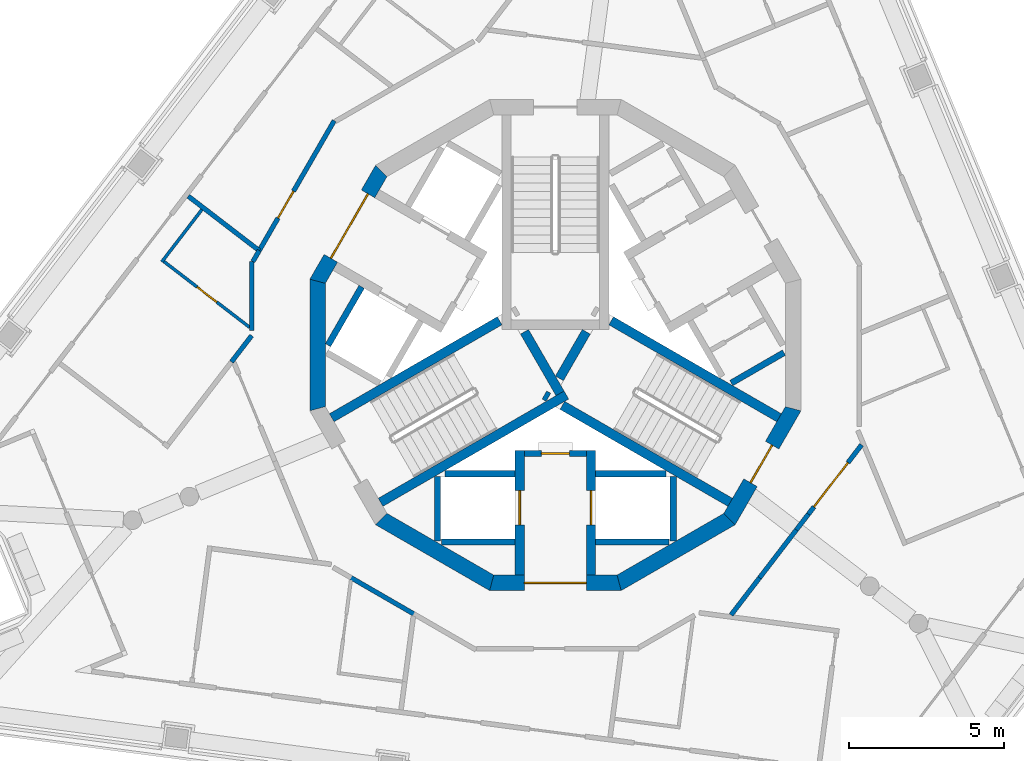
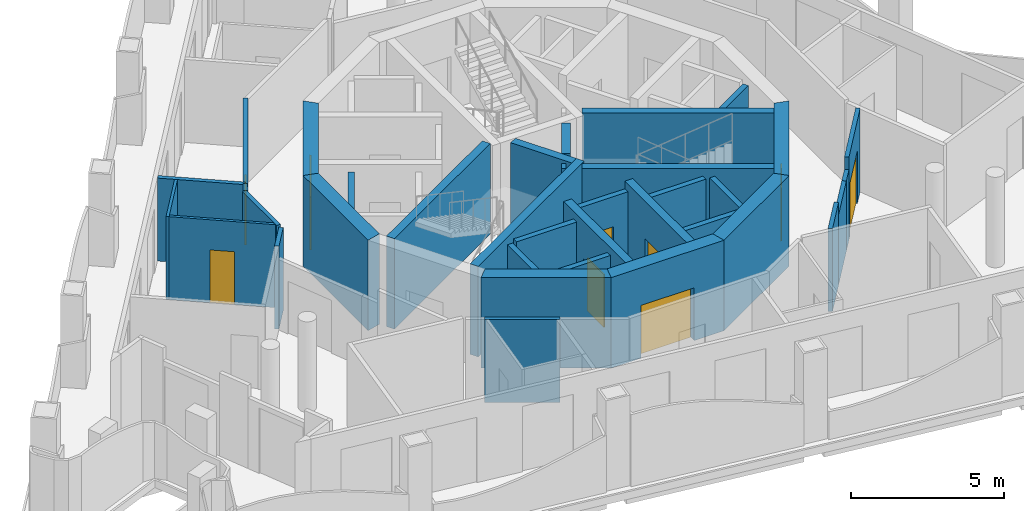
# One storey, part 3 of 12: 36 walls, 9 doors, 9 openings.
"""IFC4 building model written with IfcOpenShell, lengths in metres."""

from ifc_helpers import new_model, si_unit, direction, frame, frame_2d, origin, place, context, subcontext, project, spatial, polyline, rectangle, outline, extrude, material, layer, layer_set, type_object, element, fill, save


model = new_model("IFC4")

# Units and contexts
model_context = context("Model", 3, precision=1e-05, world=origin(), true_north=direction((0.0, 1.0)))
body_context = subcontext(model_context, "Body", "Model", "MODEL_VIEW")
ifc_project = project(units=[si_unit("LENGTHUNIT", "METRE"), si_unit("AREAUNIT", "SQUARE_METRE"), si_unit("VOLUMEUNIT", "CUBIC_METRE"), si_unit("PLANEANGLEUNIT", "RADIAN"), si_unit("MASSUNIT", "GRAM", prefix="KILO")], contexts=[model_context])

# Site, building, storey
site_placement = place(None, origin())
site = spatial("IfcSite", under=ifc_project, at=site_placement, CompositionType="ELEMENT")
building_placement = place(site_placement, origin())
building = spatial("IfcBuilding", under=site, at=building_placement, Name="Trine Commons Tower", CompositionType="ELEMENT")
storey_placement = place(building_placement, frame((0.0, 0.0, 293.39990234375)))
storey = spatial("IfcBuildingStorey", under=building, at=storey_placement, Name="L77", CompositionType="ELEMENT", Elevation=293.39990234375)

# Wall, opening, door
ifc_material_1 = material(Name="Fire-rated gypsum shaft wall system")
ifc_layer_1 = layer(ifc_material_1, 0.199951171875)
ifc_layer_set_1 = layer_set([ifc_layer_1], Name="Fire-rated gypsum shaft wall system")
wall_type_1 = type_object("IfcWallType", Name="Lobby end wall 200 mm, EI 120", PredefinedType="PARTITIONING", material=ifc_layer_set_1)
wall_1_placement = place(storey_placement, frame((79.0, 59.0, 0.0), z_axis=(0.0, 0.0, 1.0), x_axis=(1.0, 0.0, 0.0)))
wall_1 = element("IfcWall", 1, at=wall_1_placement, inside=storey, type_object=wall_type_1, Name="Lobby end wall L77", PredefinedType="PARTITIONING", context=body_context, shape_type="SweptSolid", body=[
    extrude(rectangle(XDim=2.0, YDim=0.199951171875, at=frame_2d((1.0, 0.0))), origin(), (0.0, 0.0, 1.0), 3.300048828125),
])
opening_1_placement = place(wall_1_placement, frame((0.550048828125, 0.0, 0.0)))
opening_1 = element("IfcOpeningElement", 2, at=opening_1_placement, cuts=wall_1, Name="Opening K19.09", PredefinedType="OPENING", context=body_context, shape_type="SweptSolid", body=[
    extrude(rectangle(XDim=0.89990234375, YDim=2.10009765625, at=frame_2d((0.449951171875, 1.050048828125))), frame((0.0, 0.10986328125, 0.0), z_axis=(0.0, -1.0, 0.0), x_axis=(1.0, 0.0, 0.0)), (0.0, 0.0, 1.0), 0.219970703125),
])
ifc_material_2 = material(Name="Steel door leaf, fire-rated", Category="steel")
door_type_1 = type_object("IfcDoorType", Name="Riser access door, single leaf 900 x 2100, FD60", OperationType="SINGLE_SWING_LEFT", PredefinedType="DOOR", material=ifc_material_2)
door_1_placement = place(opening_1_placement, frame((0.89990234375, 0.0, 0.0), z_axis=(0.0, 0.0, 1.0), x_axis=(-1.0, 0.0, 0.0)))
door_1 = element("IfcDoor", 3, at=door_1_placement, inside=storey, type_object=door_type_1, Name="Riser door, Communications riser L77", OperationType="SINGLE_SWING_RIGHT", OverallHeight=2.10009765625, OverallWidth=0.89990234375, PredefinedType="DOOR", context=body_context, shape_type="SweptSolid", body=[
    extrude(rectangle(XDim=0.89990234375, YDim=2.10009765625, at=frame_2d((0.449951171875, 1.050048828125))), frame((0.0, 0.02490234375, 0.0), z_axis=(0.0, -1.0, 0.0), x_axis=(1.0, 0.0, 0.0)), (0.0, 0.0, 1.0), 0.050048828125),
])
fill(opening_1, door_1)

ifc_material_3 = material(Name="Concrete C50/60", Category="concrete")
ifc_layer_2 = layer(ifc_material_3, 0.300048828125)
ifc_layer_set_2 = layer_set([ifc_layer_2], Name="Concrete C50/60")
wall_type_2 = type_object("IfcWallType", Name="RC shear wall 300 mm, C50/60", PredefinedType="SHEAR", material=ifc_layer_set_2)
wall_2_placement = place(storey_placement, frame((78.85009765625, 59.10009765625, 0.0), z_axis=(0.0, 0.0, 1.0), x_axis=(0.0, -1.0, 0.0)))
wall_2 = element("IfcWall", 4, at=wall_2_placement, inside=storey, type_object=wall_type_2, Name="Core cross wall SWD-03 L77", PredefinedType="SHEAR", context=body_context, shape_type="SweptSolid", body=[
    extrude(rectangle(XDim=4.02099609375, YDim=0.300048828125, at=frame_2d((2.010498046875, 0.0))), origin(), (0.0, 0.0, 1.0), 3.60009765625),
])
opening_2_placement = place(wall_2_placement, frame((1.300048828125, 0.0, 0.0)))
opening_2 = element("IfcOpeningElement", 5, at=opening_2_placement, cuts=wall_2, Name="Opening LD10", PredefinedType="OPENING", context=body_context, shape_type="SweptSolid", body=[
    extrude(rectangle(XDim=1.10009765625, YDim=2.10009765625, at=frame_2d((0.550048828125, 1.050048828125))), frame((0.0, 0.159912109375, 0.0), z_axis=(0.0, -1.0, 0.0), x_axis=(1.0, 0.0, 0.0)), (0.0, 0.0, 1.0), 0.320068359375),
])
ifc_material_4 = material(Name="Stainless steel sliding door leaves", Category="steel")
door_type_2 = type_object("IfcDoorType", Name="Lift landing door, centre-opening sliding 1100 x 2100, FD90", OperationType="DOUBLE_DOOR_SLIDING", PredefinedType="DOOR", material=ifc_material_4)
door_2_placement = place(opening_2_placement, origin())
door_2 = element("IfcDoor", 6, at=door_2_placement, inside=storey, type_object=door_type_2, Name="Lift landing door FF2 L77", OperationType="DOUBLE_DOOR_SLIDING", OverallHeight=2.10009765625, OverallWidth=1.10009765625, PredefinedType="DOOR", context=body_context, shape_type="SweptSolid", body=[
    extrude(rectangle(XDim=1.10009765625, YDim=2.10009765625, at=frame_2d((0.550048828125, 1.050048828125))), frame((0.0, 0.02490234375, 0.0), z_axis=(0.0, -1.0, 0.0), x_axis=(1.0, 0.0, 0.0)), (0.0, 0.0, 1.0), 0.050048828125),
])
fill(opening_2, door_2)

wall_3_placement = place(storey_placement, frame((81.14990234375, 59.10009765625, 0.0), z_axis=(0.0, 0.0, 1.0), x_axis=(0.0, -1.0, 0.0)))
wall_3 = element("IfcWall", 7, at=wall_3_placement, inside=storey, type_object=wall_type_2, Name="Core cross wall SWD-04 L77", PredefinedType="SHEAR", context=body_context, shape_type="SweptSolid", body=[
    extrude(rectangle(XDim=4.02099609375, YDim=0.300048828125, at=frame_2d((2.010498046875, 0.0))), origin(), (0.0, 0.0, 1.0), 3.60009765625),
])
opening_3_placement = place(wall_3_placement, frame((1.300048828125, 0.0, 0.0)))
opening_3 = element("IfcOpeningElement", 8, at=opening_3_placement, cuts=wall_3, Name="Opening LD9", PredefinedType="OPENING", context=body_context, shape_type="SweptSolid", body=[
    extrude(rectangle(XDim=1.10009765625, YDim=2.10009765625, at=frame_2d((0.550048828125, 1.050048828125))), frame((0.0, 0.159912109375, 0.0), z_axis=(0.0, -1.0, 0.0), x_axis=(1.0, 0.0, 0.0)), (0.0, 0.0, 1.0), 0.320068359375),
])
door_3_placement = place(opening_3_placement, origin())
door_3 = element("IfcDoor", 9, at=door_3_placement, inside=storey, type_object=door_type_2, Name="Lift landing door FF1 L77", OperationType="DOUBLE_DOOR_SLIDING", OverallHeight=2.10009765625, OverallWidth=1.10009765625, PredefinedType="DOOR", context=body_context, shape_type="SweptSolid", body=[
    extrude(rectangle(XDim=1.10009765625, YDim=2.10009765625, at=frame_2d((0.550048828125, 1.050048828125))), frame((0.0, 0.02490234375, 0.0), z_axis=(0.0, -1.0, 0.0), x_axis=(1.0, 0.0, 0.0)), (0.0, 0.0, 1.0), 0.050048828125),
])
fill(opening_3, door_3)

# Walls
wall_4_placement = place(storey_placement, frame((78.199951171875, 63.280029296875, 0.0), z_axis=(0.0, 0.0, 1.0), x_axis=(-0.866013897511, -0.50001992892, 0.0)))
element("IfcWall", 10, at=wall_4_placement, inside=storey, type_object=wall_type_2, Name="Core cross wall SWD-07 L77", PredefinedType="SHEAR", context=body_context, shape_type="SweptSolid", body=[
    extrude(rectangle(XDim=6.251708984375, YDim=0.300048828125, at=frame_2d((3.1259765625, 0.0))), origin(), (0.0, 0.0, 1.0), 3.60009765625),
])
wall_5_placement = place(storey_placement, frame((79.0029296875, 62.926025390625, 0.0), z_axis=(0.0, 0.0, 1.0), x_axis=(0.499965247104, -0.866045467449, 0.0)))
element("IfcWall", 11, at=wall_5_placement, inside=storey, type_object=wall_type_2, Name="Core cross wall SWD-10 L77", PredefinedType="SHEAR", context=body_context, shape_type="SweptSolid", body=[
    extrude(rectangle(XDim=2.292236328125, YDim=0.300048828125, at=frame_2d((1.14599609375, 0.0))), origin(), (0.0, 0.0, 1.0), 3.60009765625),
])
wall_6_placement = place(storey_placement, frame((79.64599609375, 60.885986328125, 0.0), z_axis=(0.0, 0.0, 1.0), x_axis=(0.867331893649, -0.497730234424, 0.0)))
element("IfcWall", 12, at=wall_6_placement, inside=storey, type_object=wall_type_2, Name="Core cross wall SWD-11 L77", PredefinedType="SHEAR", context=body_context, shape_type="SweptSolid", body=[
    extrude(rectangle(XDim=0.148681640625, YDim=0.300048828125, at=frame_2d((0.07421875, 0.0))), origin(), (0.0, 0.0, 1.0), 3.60009765625),
])
wall_7_placement = place(storey_placement, frame((80.1298828125, 61.424072265625, 0.0), z_axis=(0.0, 0.0, 1.0), x_axis=(0.500014901547, 0.866016800201, 0.0)))
element("IfcWall", 13, at=wall_7_placement, inside=storey, type_object=wall_type_2, Name="Core cross wall SWD-12 L77", PredefinedType="SHEAR", context=body_context, shape_type="SweptSolid", body=[
    extrude(rectangle(XDim=1.734375, YDim=0.300048828125, at=frame_2d((0.8671875, 0.0))), origin(), (0.0, 0.0, 1.0), 3.60009765625),
])
wall_8_placement = place(storey_placement, frame((80.22509765625, 60.552001953125, 0.0), z_axis=(0.0, 0.0, 1.0), x_axis=(0.866004133274, -0.500036839795, 0.0)))
element("IfcWall", 14, at=wall_8_placement, inside=storey, type_object=wall_type_2, Name="Core cross wall SWD-13 L77", PredefinedType="SHEAR", context=body_context, shape_type="SweptSolid", body=[
    extrude(rectangle(XDim=6.25146484375, YDim=0.300048828125, at=frame_2d((3.125732421875, 0.0))), origin(), (0.0, 0.0, 1.0), 3.60009765625),
])
wall_9_placement = place(storey_placement, frame((80.35400390625, 60.885986328125, 0.0), z_axis=(0.0, 0.0, 1.0), x_axis=(-0.86602871973, -0.49999425657, 0.0)))
element("IfcWall", 15, at=wall_9_placement, inside=storey, type_object=wall_type_2, Name="Core cross wall SWD-14 L77", PredefinedType="SHEAR", context=body_context, shape_type="SweptSolid", body=[
    extrude(rectangle(XDim=6.919921875, YDim=0.300048828125, at=frame_2d((3.4599609375, 0.0))), origin(), (0.0, 0.0, 1.0), 3.60009765625),
])
wall_10_placement = place(storey_placement, frame((81.800048828125, 63.280029296875, 0.0), z_axis=(0.0, 0.0, 1.0), x_axis=(0.866013897511, -0.50001992892, 0.0)))
element("IfcWall", 16, at=wall_10_placement, inside=storey, type_object=wall_type_2, Name="Core cross wall SWD-18 L77", PredefinedType="SHEAR", context=body_context, shape_type="SweptSolid", body=[
    extrude(rectangle(XDim=6.251708984375, YDim=0.300048828125, at=frame_2d((3.1259765625, 0.0))), origin(), (0.0, 0.0, 1.0), 3.60009765625),
])

# Wall, opening, door
ifc_layer_3 = layer(ifc_material_3, 0.5)
ifc_layer_set_3 = layer_set([ifc_layer_3], Name="Concrete C50/60")
wall_type_3 = type_object("IfcWallType", Name="RC shear wall 500 mm, C50/60", PredefinedType="SHEAR", material=ifc_layer_set_3)
wall_11_placement = place(storey_placement, frame((74.418212890625, 68.17333984375, 0.0), z_axis=(0.0, 0.0, 1.0), x_axis=(-0.499992968425, -0.866029463428, 0.0)))
wall_11 = element("IfcWall", 17, at=wall_11_placement, inside=storey, type_object=wall_type_3, Name="Core wall CWH-06 L77", PredefinedType="SHEAR", context=body_context, shape_type="SweptSolid", body=[
    extrude(outline(polyline([(0.0, -0.25), (4.24462890625, -0.25), (4.110595703125, 0.25), (0.134033203125, 0.25), (0.0, -0.25)])), origin(), (0.0, 0.0, 1.0), 3.60009765625),
])
opening_4_placement = place(wall_11_placement, frame((0.92236328125, 0.0, 0.0)))
opening_4 = element("IfcOpeningElement", 18, at=opening_4_placement, cuts=wall_11, Name="Opening K19.06", PredefinedType="OPENING", context=body_context, shape_type="SweptSolid", body=[
    extrude(rectangle(XDim=2.39990234375, YDim=2.10009765625, at=frame_2d((1.199951171875, 1.050048828125))), frame((0.0, 0.260009765625, 0.0), z_axis=(0.0, -1.0, 0.0), x_axis=(1.0, 0.0, 0.0)), (0.0, 0.0, 1.0), 0.52001953125),
])
ifc_material_5 = material(Name="Steel door leaves, fire-rated", Category="steel")
door_type_3 = type_object("IfcDoorType", Name="Lobby door, double leaf 2400 x 2100, FD60", OperationType="DOUBLE_DOOR_SINGLE_SWING", PredefinedType="DOOR", material=ifc_material_5)
door_4_placement = place(opening_4_placement, origin())
door_4 = element("IfcDoor", 19, at=door_4_placement, inside=storey, type_object=door_type_3, Name="Lobby door, Passenger lift lobby B L77", OperationType="DOUBLE_DOOR_SINGLE_SWING", OverallHeight=2.10009765625, OverallWidth=2.39990234375, PredefinedType="DOOR", context=body_context, shape_type="SweptSolid", body=[
    extrude(rectangle(XDim=2.39990234375, YDim=2.10009765625, at=frame_2d((1.199951171875, 1.050048828125))), frame((0.0, 0.02490234375, 0.0), z_axis=(0.0, -1.0, 0.0), x_axis=(1.0, 0.0, 0.0)), (0.0, 0.0, 1.0), 0.050048828125),
])
fill(opening_4, door_4)

# Walls
for number, where, z_axis, x_axis, name in (
    (20, (72.329345703125, 64.622314453125, 0.0), (0.0, 0.0, 1.0), (0.0, -1.0, 0.0), "Core wall CWH-07 L77"),
    (21, (74.32666015625, 56.918212890625, 0.0), (0.0, 0.0, 1.0), (0.866029463428, -0.499992968425, 0.0), "Core wall CWH-09 L77"),
):
    element("IfcWall", number, at=place(storey_placement, frame(where, z_axis=z_axis, x_axis=x_axis)), inside=storey, type_object=wall_type_3, Name=name, PredefinedType="SHEAR", context=body_context, shape_type="SweptSolid", body=[
        extrude(outline(polyline([(0.0, -0.25), (4.24462890625, -0.25), (4.110595703125, 0.25), (0.134033203125, 0.25), (0.0, -0.25)])), origin(), (0.0, 0.0, 1.0), 3.60009765625),
    ])

# Wall, opening, door
wall_12_placement = place(storey_placement, frame((77.877685546875, 54.829345703125, 0.0), z_axis=(0.0, 0.0, 1.0), x_axis=(1.0, 0.0, 0.0)))
wall_12 = element("IfcWall", 22, at=wall_12_placement, inside=storey, type_object=wall_type_3, Name="Core wall CWH-10 L77", PredefinedType="SHEAR", context=body_context, shape_type="SweptSolid", body=[
    extrude(outline(polyline([(0.0, -0.25), (4.24462890625, -0.25), (4.110595703125, 0.25), (0.134033203125, 0.25), (0.0, -0.25)])), origin(), (0.0, 0.0, 1.0), 3.60009765625),
])
opening_5_placement = place(wall_12_placement, frame((1.122314453125, 0.0, 0.0)))
opening_5 = element("IfcOpeningElement", 23, at=opening_5_placement, cuts=wall_12, Name="Opening K19.08", PredefinedType="OPENING", context=body_context, shape_type="SweptSolid", body=[
    extrude(rectangle(XDim=2.0, YDim=2.10009765625, at=frame_2d((1.0, 1.050048828125))), frame((0.0, 0.260009765625, 0.0), z_axis=(0.0, -1.0, 0.0), x_axis=(1.0, 0.0, 0.0)), (0.0, 0.0, 1.0), 0.52001953125),
])
door_type_4 = type_object("IfcDoorType", Name="Lobby door, double leaf 2000 x 2100, FD60", OperationType="DOUBLE_DOOR_SINGLE_SWING", PredefinedType="DOOR", material=ifc_material_5)
door_5_placement = place(opening_5_placement, origin())
door_5 = element("IfcDoor", 24, at=door_5_placement, inside=storey, type_object=door_type_4, Name="Lobby door, Service and firefighting lobby L77", OperationType="DOUBLE_DOOR_SINGLE_SWING", OverallHeight=2.10009765625, OverallWidth=2.0, PredefinedType="DOOR", context=body_context, shape_type="SweptSolid", body=[
    extrude(rectangle(XDim=2.0, YDim=2.10009765625, at=frame_2d((1.0, 1.050048828125))), frame((0.0, 0.02490234375, 0.0), z_axis=(0.0, -1.0, 0.0), x_axis=(1.0, 0.0, 0.0)), (0.0, 0.0, 1.0), 0.050048828125),
])
fill(opening_5, door_5)

# Wall
wall_13_placement = place(storey_placement, frame((81.997314453125, 54.7958984375, 0.0), z_axis=(0.0, 0.0, 1.0), x_axis=(0.866029463428, 0.499992968425, 0.0)))
element("IfcWall", 25, at=wall_13_placement, inside=storey, type_object=wall_type_3, Name="Core wall CWH-11 L77", PredefinedType="SHEAR", context=body_context, shape_type="SweptSolid", body=[
    extrude(outline(polyline([(0.0, -0.25), (4.24462890625, -0.25), (4.110595703125, 0.25), (0.134033203125, 0.25), (0.0, -0.25)])), origin(), (0.0, 0.0, 1.0), 3.60009765625),
])

# Wall, opening, door
wall_14_placement = place(storey_placement, frame((85.581787109375, 56.82666015625, 0.0), z_axis=(0.0, 0.0, 1.0), x_axis=(0.499992968425, 0.866029463428, 0.0)))
wall_14 = element("IfcWall", 26, at=wall_14_placement, inside=storey, type_object=wall_type_3, Name="Core wall CWH-12 L77", PredefinedType="SHEAR", context=body_context, shape_type="SweptSolid", body=[
    extrude(outline(polyline([(0.0, -0.25), (4.24462890625, -0.25), (4.110595703125, 0.25), (0.134033203125, 0.25), (0.0, -0.25)])), origin(), (0.0, 0.0, 1.0), 3.60009765625),
])
opening_6_placement = place(wall_14_placement, frame((1.42236328125, 0.0, 0.0)))
opening_6 = element("IfcOpeningElement", 27, at=opening_6_placement, cuts=wall_14, Name="Opening K19.03", PredefinedType="OPENING", context=body_context, shape_type="SweptSolid", body=[
    extrude(rectangle(XDim=1.39990234375, YDim=2.10009765625, at=frame_2d((0.699951171875, 1.050048828125))), frame((0.0, 0.260009765625, 0.0), z_axis=(0.0, -1.0, 0.0), x_axis=(1.0, 0.0, 0.0)), (0.0, 0.0, 1.0), 0.52001953125),
])
door_type_5 = type_object("IfcDoorType", Name="Stair door, double leaf 1400 x 2100, FD90", OperationType="DOUBLE_DOOR_SINGLE_SWING", PredefinedType="DOOR", material=ifc_material_5)
door_6_placement = place(opening_6_placement, origin())
door_6 = element("IfcDoor", 28, at=door_6_placement, inside=storey, type_object=door_type_5, Name="Stair door to Exit stair ST3D L77", OperationType="DOUBLE_DOOR_SINGLE_SWING", OverallHeight=2.10009765625, OverallWidth=1.39990234375, PredefinedType="DOOR", context=body_context, shape_type="SweptSolid", body=[
    extrude(rectangle(XDim=1.39990234375, YDim=2.10009765625, at=frame_2d((0.699951171875, 1.050048828125))), frame((0.0, 0.02490234375, 0.0), z_axis=(0.0, -1.0, 0.0), x_axis=(1.0, 0.0, 0.0)), (0.0, 0.0, 1.0), 0.050048828125),
])
fill(opening_6, door_6)

# Walls
ifc_layer_4 = layer(ifc_material_1, 0.199951171875)
ifc_layer_set_4 = layer_set([ifc_layer_4], Name="Fire-rated gypsum shaft wall system")
wall_type_4 = type_object("IfcWallType", Name="Shaft wall 200 mm, EI 120", PredefinedType="PARTITIONING", material=ifc_layer_set_4)
wall_15_placement = place(storey_placement, frame((73.7509765625, 64.3759765625, 0.0), z_axis=(0.0, 0.0, 1.0), x_axis=(-0.499865263774, -0.866103179807, 0.0)))
element("IfcWall", 29, at=wall_15_placement, inside=storey, type_object=wall_type_4, Name="Shaft wall L77", PredefinedType="PARTITIONING", context=body_context, shape_type="SweptSolid", body=[
    extrude(rectangle(XDim=2.17041015625, YDim=0.199951171875, at=frame_2d((1.085205078125, 0.0))), origin(), (0.0, 0.0, 1.0), 3.300048828125),
])
wall_16_placement = place(storey_placement, frame((76.199951171875, 58.257080078125, 0.0), z_axis=(0.0, 0.0, 1.0), x_axis=(0.0, -1.0, 0.0)))
element("IfcWall", 30, at=wall_16_placement, inside=storey, type_object=wall_type_4, Name="Shaft wall L77", PredefinedType="PARTITIONING", context=body_context, shape_type="SweptSolid", body=[
    extrude(rectangle(XDim=2.073974609375, YDim=0.199951171875, at=frame_2d((1.037109375, 0.0))), origin(), (0.0, 0.0, 1.0), 3.300048828125),
])
wall_17_placement = place(storey_placement, frame((78.699951171875, 56.14990234375, 0.0), z_axis=(0.0, 0.0, 1.0), x_axis=(-1.0, 0.0, 0.0)))
element("IfcWall", 31, at=wall_17_placement, inside=storey, type_object=wall_type_4, Name="Shaft wall L77", PredefinedType="PARTITIONING", context=body_context, shape_type="SweptSolid", body=[
    extrude(rectangle(XDim=2.368896484375, YDim=0.199951171875, at=frame_2d((1.1845703125, 0.0))), origin(), (0.0, 0.0, 1.0), 3.300048828125),
])
wall_18_placement = place(storey_placement, frame((78.699951171875, 58.35009765625, 0.0), z_axis=(0.0, 0.0, 1.0), x_axis=(-1.0, 0.0, 0.0)))
element("IfcWall", 32, at=wall_18_placement, inside=storey, type_object=wall_type_4, Name="Shaft wall L77", PredefinedType="PARTITIONING", context=body_context, shape_type="SweptSolid", body=[
    extrude(rectangle(XDim=2.264892578125, YDim=0.199951171875, at=frame_2d((1.13232421875, 0.0))), origin(), (0.0, 0.0, 1.0), 3.300048828125),
])
wall_19_placement = place(storey_placement, frame((81.300048828125, 56.14990234375, 0.0), z_axis=(0.0, 0.0, 1.0), x_axis=(1.0, 0.0, 0.0)))
element("IfcWall", 33, at=wall_19_placement, inside=storey, type_object=wall_type_4, Name="Shaft wall L77", PredefinedType="PARTITIONING", context=body_context, shape_type="SweptSolid", body=[
    extrude(rectangle(XDim=2.368896484375, YDim=0.199951171875, at=frame_2d((1.1845703125, 0.0))), origin(), (0.0, 0.0, 1.0), 3.300048828125),
])
wall_20_placement = place(storey_placement, frame((81.300048828125, 58.35009765625, 0.0), z_axis=(0.0, 0.0, 1.0), x_axis=(1.0, 0.0, 0.0)))
element("IfcWall", 34, at=wall_20_placement, inside=storey, type_object=wall_type_4, Name="Shaft wall L77", PredefinedType="PARTITIONING", context=body_context, shape_type="SweptSolid", body=[
    extrude(rectangle(XDim=2.264892578125, YDim=0.199951171875, at=frame_2d((1.13232421875, 0.0))), origin(), (0.0, 0.0, 1.0), 3.300048828125),
])
wall_21_placement = place(storey_placement, frame((83.800048828125, 58.257080078125, 0.0), z_axis=(0.0, 0.0, 1.0), x_axis=(0.0, -1.0, 0.0)))
element("IfcWall", 35, at=wall_21_placement, inside=storey, type_object=wall_type_4, Name="Shaft wall L77", PredefinedType="PARTITIONING", context=body_context, shape_type="SweptSolid", body=[
    extrude(rectangle(XDim=2.073974609375, YDim=0.199951171875, at=frame_2d((1.037109375, 0.0))), origin(), (0.0, 0.0, 1.0), 3.300048828125),
])
wall_22_placement = place(storey_placement, frame((85.675048828125, 61.27294921875, 0.0), z_axis=(0.0, 0.0, 1.0), x_axis=(0.86585547495, 0.500294209939, 0.0)))
element("IfcWall", 36, at=wall_22_placement, inside=storey, type_object=wall_type_4, Name="Shaft wall L77", PredefinedType="PARTITIONING", context=body_context, shape_type="SweptSolid", body=[
    extrude(rectangle(XDim=1.958740234375, YDim=0.199951171875, at=frame_2d((0.9794921875, 0.0))), origin(), (0.0, 0.0, 1.0), 3.300048828125),
])
ifc_material_6 = material(Name="Gypsum plasterboard on steel stud", Category="steel")
ifc_layer_5 = layer(ifc_material_6, 0.14990234375)
ifc_layer_set_5 = layer_set([ifc_layer_5], Name="Gypsum plasterboard on steel stud")
wall_type_5 = type_object("IfcWallType", Name="Unit and corridor wall 150 mm, EI 60", PredefinedType="PARTITIONING", material=ifc_layer_set_5)
wall_23_placement = place(storey_placement, frame((68.15771484375, 67.300537109375, 0.0), z_axis=(0.0, 0.0, 1.0), x_axis=(0.793362540986, -0.608749438242, 0.0)))
element("IfcWall", 37, at=wall_23_placement, inside=storey, type_object=wall_type_5, Name="Partition 005", PredefinedType="PARTITIONING", context=body_context, shape_type="SweptSolid", body=[
    extrude(rectangle(XDim=2.885498046875, YDim=0.14990234375, at=frame_2d((1.44287109375, 0.0))), origin(), (0.0, 0.0, 1.0), 3.300048828125),
])
wall_24_placement = place(storey_placement, frame((69.552490234375, 61.95556640625, 0.0), z_axis=(0.0, 0.0, 1.0), x_axis=(0.608685264342, 0.793411777687, 0.0)))
element("IfcWall", 38, at=wall_24_placement, inside=storey, type_object=wall_type_5, Name="Partition 008", PredefinedType="PARTITIONING", context=body_context, shape_type="SweptSolid", body=[
    extrude(rectangle(XDim=1.070556640625, YDim=0.14990234375, at=frame_2d((0.53515625, 0.0))), origin(), (0.0, 0.0, 1.0), 3.300048828125),
])
wall_25_placement = place(storey_placement, frame((70.2041015625, 62.966064453125, 0.0), z_axis=(0.0, 0.0, 1.0), x_axis=(0.0, 1.0, 0.0)))
element("IfcWall", 39, at=wall_25_placement, inside=storey, type_object=wall_type_5, Name="Partition 010", PredefinedType="PARTITIONING", context=body_context, shape_type="SweptSolid", body=[
    extrude(rectangle(XDim=2.23388671875, YDim=0.14990234375, at=frame_2d((1.116943359375, 0.0))), origin(), (0.0, 0.0, 1.0), 3.300048828125),
])
wall_26_placement = place(storey_placement, frame((70.241455078125, 65.18994140625, 0.0), z_axis=(0.0, 0.0, 1.0), x_axis=(0.499569084189, 0.866274050242, 0.0)))
element("IfcWall", 40, at=wall_26_placement, inside=storey, type_object=wall_type_5, Name="Partition 011", PredefinedType="PARTITIONING", context=body_context, shape_type="SweptSolid", body=[
    extrude(rectangle(XDim=0.413330078125, YDim=0.14990234375, at=frame_2d((0.20654296875, 0.0))), origin(), (0.0, 0.0, 1.0), 3.300048828125),
])

# Wall, opening, door
wall_27_placement = place(storey_placement, frame((70.444091796875, 65.541015625, 0.0), z_axis=(0.0, 0.0, 1.0), x_axis=(0.500074377092, 0.865982457891, 0.0)))
wall_27 = element("IfcWall", 41, at=wall_27_placement, inside=storey, type_object=wall_type_5, Name="Partition 012", PredefinedType="PARTITIONING", context=body_context, shape_type="SweptSolid", body=[
    extrude(rectangle(XDim=4.843994140625, YDim=0.14990234375, at=frame_2d((2.421875, 0.0))), origin(), (0.0, 0.0, 1.0), 3.300048828125),
])
opening_7_placement = place(wall_27_placement, frame((1.21923828125, 0.0, 0.0)))
opening_7 = element("IfcOpeningElement", 42, at=opening_7_placement, cuts=wall_27, Name="Opening D-8C05", PredefinedType="OPENING", context=body_context, shape_type="SweptSolid", body=[
    extrude(rectangle(XDim=1.0, YDim=2.10009765625, at=frame_2d((0.5, 1.050048828125))), frame((0.0, 0.0849609375, 0.0), z_axis=(0.0, -1.0, 0.0), x_axis=(1.0, 0.0, 0.0)), (0.0, 0.0, 1.0), 0.169921875),
])
ifc_material_7 = material(Name="Painted timber", Category="wood")
door_type_6 = type_object("IfcDoorType", Name="Amenity room door 1000 x 2100, NOT RATED", OperationType="NOTDEFINED", PredefinedType="DOOR", material=ifc_material_7)
door_7_placement = place(opening_7_placement, origin())
door_7 = element("IfcDoor", 43, at=door_7_placement, inside=storey, type_object=door_type_6, Name="Door D-8C05", OperationType="SINGLE_SWING_LEFT", OverallHeight=2.10009765625, OverallWidth=1.0, PredefinedType="DOOR", context=body_context, shape_type="SweptSolid", body=[
    extrude(rectangle(XDim=1.0, YDim=2.10009765625, at=frame_2d((0.5, 1.050048828125))), frame((0.0, 0.02490234375, 0.0), z_axis=(0.0, -1.0, 0.0), x_axis=(1.0, 0.0, 0.0)), (0.0, 0.0, 1.0), 0.050048828125),
])
fill(opening_7, door_7)

# Walls
wall_28_placement = place(storey_placement, frame((73.36669921875, 55.01904296875, 0.0), z_axis=(0.0, 0.0, 1.0), x_axis=(0.865912836248, -0.500194922027, 0.0)))
element("IfcWall", 44, at=wall_28_placement, inside=storey, type_object=wall_type_5, Name="Partition 021", PredefinedType="PARTITIONING", context=body_context, shape_type="SweptSolid", body=[
    extrude(rectangle(XDim=2.4599609375, YDim=0.14990234375, at=frame_2d((1.22998046875, 0.0))), origin(), (0.0, 0.0, 1.0), 3.300048828125),
])
wall_29_placement = place(storey_placement, frame((85.66650390625, 53.79345703125, 0.0), z_axis=(0.0, 0.0, 1.0), x_axis=(0.608584360589, 0.79348917828, 0.0)))
element("IfcWall", 45, at=wall_29_placement, inside=storey, type_object=wall_type_5, Name="Partition 043", PredefinedType="PARTITIONING", context=body_context, shape_type="SweptSolid", body=[
    extrude(rectangle(XDim=1.50927734375, YDim=0.14990234375, at=frame_2d((0.754638671875, 0.0))), origin(), (0.0, 0.0, 1.0), 3.300048828125),
])
wall_30_placement = place(storey_placement, frame((86.5849609375, 54.990966796875, 0.0), z_axis=(0.0, 0.0, 1.0), x_axis=(0.608644571119, 0.793442994832, 0.0)))
element("IfcWall", 46, at=wall_30_placement, inside=storey, type_object=wall_type_5, Name="Partition 045", PredefinedType="PARTITIONING", context=body_context, shape_type="SweptSolid", body=[
    extrude(rectangle(XDim=1.94873046875, YDim=0.14990234375, at=frame_2d((0.974365234375, 0.0))), origin(), (0.0, 0.0, 1.0), 2.800048828125),
])
wall_31_placement = place(storey_placement, frame((87.77099609375, 56.537109375, 0.0), z_axis=(0.0, 0.0, 1.0), x_axis=(0.60945333551, 0.792821942075, 0.0)))
element("IfcWall", 47, at=wall_31_placement, inside=storey, type_object=wall_type_5, Name="Partition 049", PredefinedType="PARTITIONING", context=body_context, shape_type="SweptSolid", body=[
    extrude(rectangle(XDim=0.641845703125, YDim=0.14990234375, at=frame_2d((0.32080078125, 0.0))), origin(), (0.0, 0.0, 1.0), 2.800048828125),
])

# Wall, opening, door
wall_32_placement = place(storey_placement, frame((88.1630859375, 57.047119140625, 0.0), z_axis=(0.0, 0.0, 1.0), x_axis=(0.608792119063, 0.793329790041, 0.0)))
wall_32 = element("IfcWall", 48, at=wall_32_placement, inside=storey, type_object=wall_type_5, Name="Partition 050", PredefinedType="PARTITIONING", context=body_context, shape_type="SweptSolid", body=[
    extrude(rectangle(XDim=2.81396484375, YDim=0.14990234375, at=frame_2d((1.406982421875, 0.0))), origin(), (0.0, 0.0, 1.0), 3.300048828125),
])
opening_8_placement = place(wall_32_placement, frame((0.292724609375, 0.0, 0.0)))
opening_8 = element("IfcOpeningElement", 49, at=opening_8_placement, cuts=wall_32, Name="Opening D-8C02", PredefinedType="OPENING", context=body_context, shape_type="SweptSolid", body=[
    extrude(rectangle(XDim=1.800048828125, YDim=2.10009765625, at=frame_2d((0.89990234375, 1.050048828125))), frame((0.0, 0.0849609375, 0.0), z_axis=(0.0, -1.0, 0.0), x_axis=(1.0, 0.0, 0.0)), (0.0, 0.0, 1.0), 0.169921875),
])
ifc_material_8 = material(Name="Timber fire door set", Category="wood")
door_type_7 = type_object("IfcDoorType", Name="Cluster entrance door 1800 x 2100, double leaf, FD30S", OperationType="DOUBLE_DOOR_DOUBLE_SWING", PredefinedType="DOOR", material=ifc_material_8)
door_8_placement = place(opening_8_placement, frame((1.800048828125, 0.0, 0.0), z_axis=(0.0, 0.0, 1.0), x_axis=(-1.0, 0.0, 0.0)))
door_8 = element("IfcDoor", 50, at=door_8_placement, inside=storey, type_object=door_type_7, Name="Door D-8C02", OperationType="DOUBLE_DOOR_DOUBLE_SWING", OverallHeight=2.10009765625, OverallWidth=1.800048828125, PredefinedType="DOOR", context=body_context, shape_type="SweptSolid", body=[
    extrude(rectangle(XDim=1.800048828125, YDim=2.10009765625, at=frame_2d((0.89990234375, 1.050048828125))), frame((0.0, 0.02490234375, 0.0), z_axis=(0.0, -1.0, 0.0), x_axis=(1.0, 0.0, 0.0)), (0.0, 0.0, 1.0), 0.050048828125),
])
fill(opening_8, door_8)

# Wall
ifc_layer_6 = layer(ifc_material_6, 0.10009765625)
ifc_layer_set_6 = layer_set([ifc_layer_6], Name="Gypsum plasterboard on steel stud")
wall_type_6 = type_object("IfcWallType", Name="Unit partition 100 mm, no rating", PredefinedType="PARTITIONING", material=ifc_layer_set_6)
wall_33_placement = place(storey_placement, frame((67.3046875, 65.182373046875, 0.0), z_axis=(0.0, 0.0, 1.0), x_axis=(0.608971833678, 0.793191846773, 0.0)))
element("IfcWall", 51, at=wall_33_placement, inside=storey, type_object=wall_type_6, Name="Partition 002", PredefinedType="PARTITIONING", context=body_context, shape_type="SweptSolid", body=[
    extrude(rectangle(XDim=2.12451171875, YDim=0.10009765625, at=frame_2d((1.062255859375, 0.0))), origin(), (0.0, 0.0, 1.0), 3.300048828125),
])

# Wall, opening, door
wall_34_placement = place(storey_placement, frame((67.374755859375, 65.191650390625, 0.0), z_axis=(0.0, 0.0, 1.0), x_axis=(0.793262986906, -0.608879161743, 0.0)))
wall_34 = element("IfcWall", 52, at=wall_34_placement, inside=storey, type_object=wall_type_6, Name="Partition 003", PredefinedType="PARTITIONING", context=body_context, shape_type="SweptSolid", body=[
    extrude(rectangle(XDim=3.49169921875, YDim=0.10009765625, at=frame_2d((1.745849609375, 0.0))), origin(), (0.0, 0.0, 1.0), 3.300048828125),
])
opening_9_placement = place(wall_34_placement, frame((1.345703125, 0.0, 0.0)))
opening_9 = element("IfcOpeningElement", 53, at=opening_9_placement, cuts=wall_34, Name="Opening D-8C14", PredefinedType="OPENING", context=body_context, shape_type="SweptSolid", body=[
    extrude(rectangle(XDim=0.800048828125, YDim=2.10009765625, at=frame_2d((0.39990234375, 1.050048828125))), frame((0.0, 0.06005859375, 0.0), z_axis=(0.0, -1.0, 0.0), x_axis=(1.0, 0.0, 0.0)), (0.0, 0.0, 1.0), 0.1201171875),
])
door_type_8 = type_object("IfcDoorType", Name="Internal door 800 x 2100, NOT RATED", OperationType="NOTDEFINED", PredefinedType="DOOR", material=ifc_material_7)
door_9_placement = place(opening_9_placement, frame((0.800048828125, 0.0, 0.0), z_axis=(0.0, 0.0, 1.0), x_axis=(-1.0, 0.0, 0.0)))
door_9 = element("IfcDoor", 54, at=door_9_placement, inside=storey, type_object=door_type_8, Name="Door D-8C14", OperationType="SINGLE_SWING_LEFT", OverallHeight=2.10009765625, OverallWidth=0.800048828125, PredefinedType="DOOR", context=body_context, shape_type="SweptSolid", body=[
    extrude(rectangle(XDim=0.800048828125, YDim=2.10009765625, at=frame_2d((0.39990234375, 1.050048828125))), frame((0.0, 0.02490234375, 0.0), z_axis=(0.0, -1.0, 0.0), x_axis=(1.0, 0.0, 0.0)), (0.0, 0.0, 1.0), 0.050048828125),
])
fill(opening_9, door_9)

save(model, "model.ifc")
